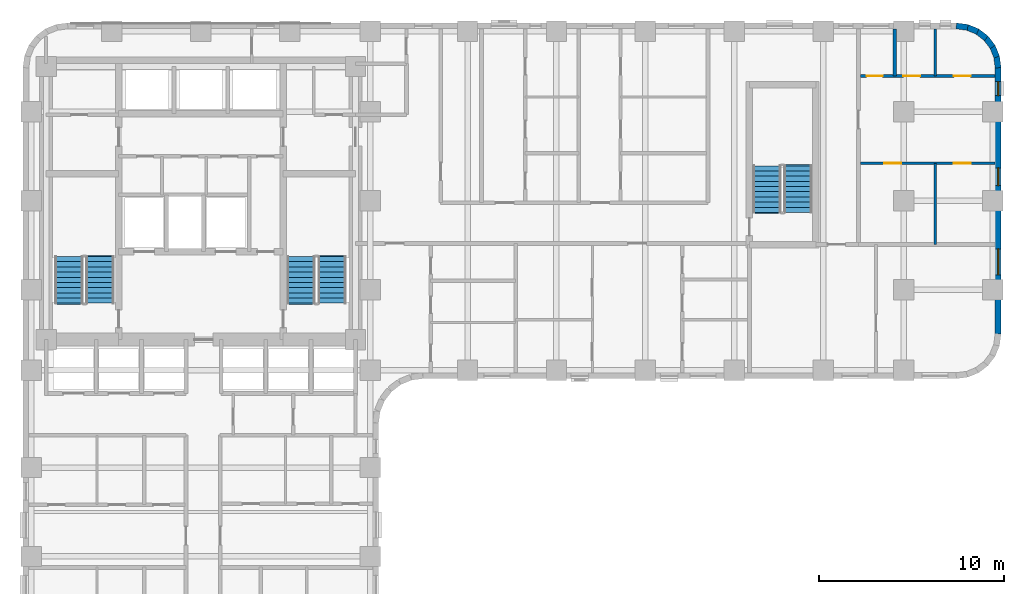
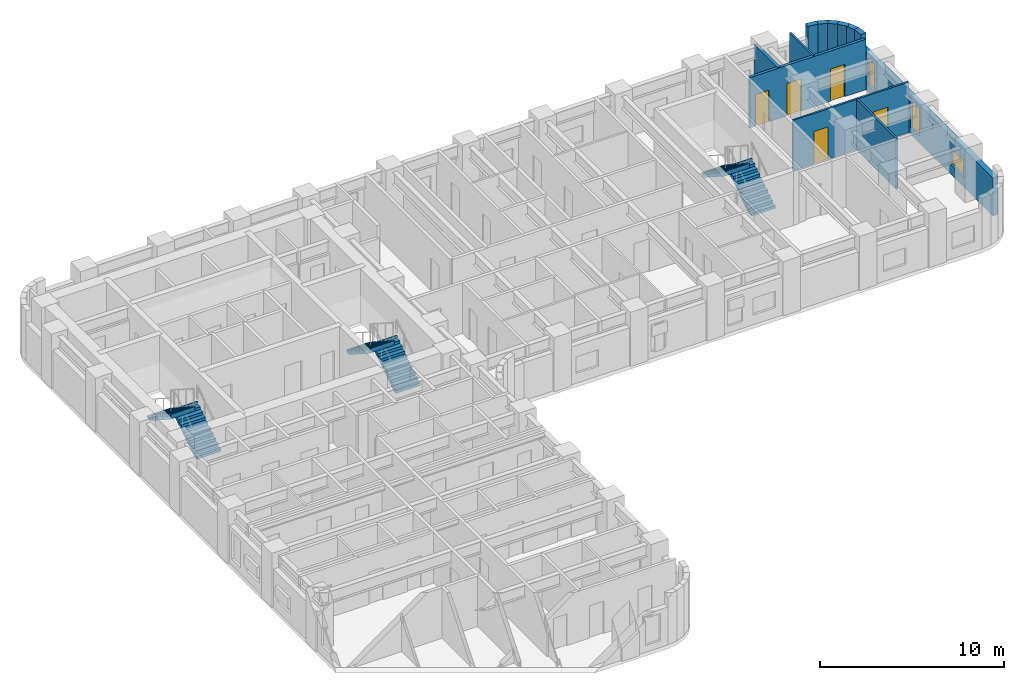
# One storey, part 8 of 11: 12 walls, 6 stair flights, 5 doors, 3 windows, 8 openings, 3 elements without a shape of their own.
"""IFC4 building model written with IfcOpenShell, lengths in metres."""

from ifc_helpers import new_model, si_unit, direction, frame, frame_2d, origin, place, context, subcontext, project, spatial, polyline, rectangle, outline, extrude, material, layer, layer_set, type_object, element, fill, aggregate, save


model = new_model("IFC4")

# Units and contexts
model_context = context("Model", 3, precision=1e-05, world=origin(), true_north=direction((0.0, 1.0)))
body_context = subcontext(model_context, "Body", "Model", "MODEL_VIEW")
ifc_project = project(units=[si_unit("LENGTHUNIT", "METRE"), si_unit("AREAUNIT", "SQUARE_METRE"), si_unit("VOLUMEUNIT", "CUBIC_METRE"), si_unit("PLANEANGLEUNIT", "RADIAN"), si_unit("MASSUNIT", "GRAM", prefix="KILO")], contexts=[model_context])

# Site, building, storey
site_placement = place(None, origin())
site = spatial("IfcSite", under=ifc_project, at=site_placement, CompositionType="ELEMENT")
building_placement = place(site_placement, origin())
building = spatial("IfcBuilding", under=site, at=building_placement, Name="Orvandelia Arch Residences", CompositionType="ELEMENT")
storey_placement = place(building_placement, frame((0.0, 0.0, 25.0)))
storey = spatial("IfcBuildingStorey", under=building, at=storey_placement, Name="L05", CompositionType="ELEMENT", Elevation=25.0)

# Walls
ifc_material_1 = material(Name="Precast concrete C40/50", Category="concrete")
ifc_layer_1 = layer(ifc_material_1, 0.320068359375, Name="Precast concrete C40/50", Category="concrete")
ifc_layer_set_1 = layer_set([ifc_layer_1], Name="Precast concrete C40/50")
wall_type_1 = type_object("IfcWallType", Name="WL-EXT-STONE-320", PredefinedType="STANDARD", material=ifc_layer_set_1)
for number, where, z_axis, x_axis, name in (
    (1, (55.17919921875, 47.84130859375, 0.0), (0.0, 0.0, 1.0), (0.9914410257, -0.130555323746, 0.0), "Coral-Limestone Precast Facade Wall L05-008"),
    (2, (55.760009765625, 47.7705078125, 0.0), (0.0, 0.0, 1.0), (0.92389335771, -0.382650053678, 0.0), "Coral-Limestone Precast Facade Wall L05-009"),
):
    element("IfcWall", number, at=place(storey_placement, frame(where, z_axis=z_axis, x_axis=x_axis)), inside=storey, type_object=wall_type_1, Name=name, PredefinedType="STANDARD", context=body_context, shape_type="SweptSolid", body=[
        extrude(rectangle(XDim=0.62646484375, YDim=0.320068359375, at=frame_2d((0.313232421875, 0.0))), origin(), (0.0, 0.0, 1.0), 3.35009765625),
    ])
wall_1_placement = place(storey_placement, frame((56.302490234375, 47.551513671875, 0.0), z_axis=(0.0, 0.0, 1.0), x_axis=(0.793549926411, -0.608505147302, 0.0)))
element("IfcWall", 3, at=wall_1_placement, inside=storey, type_object=wall_type_1, Name="Coral-Limestone Precast Facade Wall L05-010", PredefinedType="STANDARD", context=body_context, shape_type="SweptSolid", body=[
    extrude(rectangle(XDim=0.626708984375, YDim=0.320068359375, at=frame_2d((0.3134765625, 0.0))), origin(), (0.0, 0.0, 1.0), 3.35009765625),
])
for number, where, z_axis, x_axis, name in (
    (4, (56.770263671875, 47.19970703125, 0.0), (0.0, 0.0, 1.0), (0.608693302629, -0.793405610854, 0.0), "Coral-Limestone Precast Facade Wall L05-011"),
    (5, (57.130615234375, 46.73876953125, 0.0), (0.0, 0.0, 1.0), (0.382650053678, -0.92389335771, 0.0), "Coral-Limestone Precast Facade Wall L05-012"),
    (6, (57.359619140625, 46.2001953125, 0.0), (0.0, 0.0, 1.0), (0.130555323746, -0.9914410257, 0.0), "Coral-Limestone Precast Facade Wall L05-013"),
):
    element("IfcWall", number, at=place(storey_placement, frame(where, z_axis=z_axis, x_axis=x_axis)), inside=storey, type_object=wall_type_1, Name=name, PredefinedType="STANDARD", context=body_context, shape_type="SweptSolid", body=[
        extrude(rectangle(XDim=0.62646484375, YDim=0.320068359375, at=frame_2d((0.313232421875, 0.0))), origin(), (0.0, 0.0, 1.0), 3.35009765625),
    ])

# Wall, openings, windows
wall_2_placement = place(storey_placement, frame((57.43994140625, 45.60009765625, 0.0), z_axis=(0.0, 0.0, 1.0), x_axis=(0.0, -1.0, 0.0)))
wall_2 = element("IfcWall", 7, at=wall_2_placement, inside=storey, type_object=wall_type_1, Name="Coral-Limestone Precast Facade Wall L05-014", PredefinedType="STANDARD", context=body_context, shape_type="SweptSolid", body=[
    extrude(rectangle(XDim=14.400146484375, YDim=0.320068359375, at=frame_2d((7.2001953125, 0.0))), origin(), (0.0, 0.0, 1.0), 2.530029296875),
])
opening_1_placement = place(wall_2_placement, frame((5.427978515625, 0.0, 0.449951171875)))
opening_1 = element("IfcOpeningElement", 8, at=opening_1_placement, cuts=wall_2, Name="Opening W4", PredefinedType="OPENING", context=body_context, shape_type="SweptSolid", body=[
    extrude(rectangle(XDim=0.949951171875, YDim=1.800048828125, at=frame_2d((0.47509765625, 0.89990234375))), frame((0.0, 0.169921875, 0.0), z_axis=(0.0, -1.0, 0.0), x_axis=(1.0, 0.0, 0.0)), (0.0, 0.0, 1.0), 0.340087890625),
])
opening_2_placement = place(wall_2_placement, frame((9.800048828125, 0.0, 0.64990234375)))
opening_2 = element("IfcOpeningElement", 9, at=opening_2_placement, cuts=wall_2, Name="Opening W10", PredefinedType="OPENING", context=body_context, shape_type="SweptSolid", body=[
    extrude(rectangle(XDim=1.39990234375, YDim=1.10009765625, at=frame_2d((0.699951171875, 0.550048828125))), frame((0.0, 0.169921875, 0.0), z_axis=(0.0, -1.0, 0.0), x_axis=(1.0, 0.0, 0.0)), (0.0, 0.0, 1.0), 0.340087890625),
])
opening_3_placement = place(wall_2_placement, frame((0.7705078125, 0.0, 0.449951171875)))
opening_3 = element("IfcOpeningElement", 10, at=opening_3_placement, cuts=wall_2, Name="Opening W11", PredefinedType="OPENING", context=body_context, shape_type="SweptSolid", body=[
    extrude(rectangle(XDim=0.75, YDim=1.800048828125, at=frame_2d((0.375, 0.89990234375))), frame((0.0, 0.169921875, 0.0), z_axis=(0.0, -1.0, 0.0), x_axis=(1.0, 0.0, 0.0)), (0.0, 0.0, 1.0), 0.340087890625),
])
ifc_material_2 = material(Name="Tempered Low-E Insulated Glazing", Category="glass")
window_type_1 = type_object("IfcWindowType", Name="WIN-BED-0750x1800", PartitioningType="SINGLE_PANEL", PredefinedType="WINDOW", material=ifc_material_2)
window_1_placement = place(opening_3_placement, origin())
window_1 = element("IfcWindow", 11, at=window_1_placement, inside=storey, type_object=window_type_1, Name="Recessed Punched Window L05-015", OverallHeight=1.800048828125, OverallWidth=0.75, PartitioningType="SINGLE_PANEL", PredefinedType="WINDOW", context=body_context, shape_type="SweptSolid", body=[
    extrude(rectangle(XDim=0.75, YDim=1.800048828125, at=frame_2d((0.375, 0.89990234375))), frame((0.0, 0.030029296875, 0.0), z_axis=(0.0, -1.0, 0.0), x_axis=(1.0, 0.0, 0.0)), (0.0, 0.0, 1.0), 0.06005859375),
])
fill(opening_3, window_1)
window_type_2 = type_object("IfcWindowType", Name="WIN-CLR-1400x1100", PartitioningType="SINGLE_PANEL", PredefinedType="WINDOW", material=ifc_material_2)
window_2_placement = place(opening_2_placement, origin())
window_2 = element("IfcWindow", 12, at=window_2_placement, inside=storey, type_object=window_type_2, Name="Recessed Punched Window L05-014", OverallHeight=1.10009765625, OverallWidth=1.39990234375, PartitioningType="SINGLE_PANEL", PredefinedType="WINDOW", context=body_context, shape_type="SweptSolid", body=[
    extrude(rectangle(XDim=1.39990234375, YDim=1.10009765625, at=frame_2d((0.699951171875, 0.550048828125))), frame((0.0, 0.030029296875, 0.0), z_axis=(0.0, -1.0, 0.0), x_axis=(1.0, 0.0, 0.0)), (0.0, 0.0, 1.0), 0.06005859375),
])
fill(opening_2, window_2)
window_type_3 = type_object("IfcWindowType", Name="WIN-RES-0950x1800", PartitioningType="SINGLE_PANEL", PredefinedType="WINDOW", material=ifc_material_2)
window_3_placement = place(opening_1_placement, origin())
window_3 = element("IfcWindow", 13, at=window_3_placement, inside=storey, type_object=window_type_3, Name="Recessed Punched Window L05-013", OverallHeight=1.800048828125, OverallWidth=0.949951171875, PartitioningType="SINGLE_PANEL", PredefinedType="WINDOW", context=body_context, shape_type="SweptSolid", body=[
    extrude(rectangle(XDim=0.949951171875, YDim=1.800048828125, at=frame_2d((0.47509765625, 0.89990234375))), frame((0.0, 0.030029296875, 0.0), z_axis=(0.0, -1.0, 0.0), x_axis=(1.0, 0.0, 0.0)), (0.0, 0.0, 1.0), 0.06005859375),
])
fill(opening_1, window_3)

# Wall, openings, doors
ifc_material_3 = material(Name="Lightweight Gypsum Stud Partition")
ifc_layer_2 = layer(ifc_material_3, 0.1201171875, Name="Lightweight Gypsum Stud Partition")
ifc_layer_set_2 = layer_set([ifc_layer_2], Name="Lightweight Gypsum Stud Partition")
wall_type_2 = type_object("IfcWallType", Name="WL-PART-120", PredefinedType="PARTITIONING", material=ifc_layer_set_2)
wall_3_placement = place(storey_placement, frame((50.0, 40.424072265625, 0.0), z_axis=(0.0, 0.0, 1.0), x_axis=(1.0, 0.0, 0.0)))
wall_3 = element("IfcWall", 14, at=wall_3_placement, inside=storey, type_object=wall_type_2, Name="Interior Partition Wall WL-L05-U11-HB", PredefinedType="PARTITIONING", context=body_context, shape_type="SweptSolid", body=[
    extrude(rectangle(XDim=7.280029296875, YDim=0.1201171875, at=frame_2d((3.64013671875, 0.0))), origin(), (0.0, 0.0, 1.0), 3.35009765625),
])
opening_4_placement = place(wall_3_placement, frame((1.30419921875, 0.0, 0.0)))
opening_4 = element("IfcOpeningElement", 15, at=opening_4_placement, cuts=wall_3, Name="Opening D3", PredefinedType="OPENING", context=body_context, shape_type="SweptSolid", body=[
    extrude(rectangle(XDim=0.89990234375, YDim=2.14990234375, at=frame_2d((0.449951171875, 1.074951171875))), frame((0.0, 0.070068359375, 0.0), z_axis=(0.0, -1.0, 0.0), x_axis=(1.0, 0.0, 0.0)), (0.0, 0.0, 1.0), 0.14013671875),
])
opening_5_placement = place(wall_3_placement, frame((5.056884765625, 0.0, 0.0)))
opening_5 = element("IfcOpeningElement", 16, at=opening_5_placement, cuts=wall_3, Name="Opening D3", PredefinedType="OPENING", context=body_context, shape_type="SweptSolid", body=[
    extrude(rectangle(XDim=0.89990234375, YDim=2.14990234375, at=frame_2d((0.449951171875, 1.074951171875))), frame((0.0, 0.070068359375, 0.0), z_axis=(0.0, -1.0, 0.0), x_axis=(1.0, 0.0, 0.0)), (0.0, 0.0, 1.0), 0.14013671875),
])
ifc_material_4 = material(Name="Engineered Timber Flush Door", Category="wood")
door_type_1 = type_object("IfcDoorType", Name="DR-INT-900", OperationType="NOTDEFINED", PredefinedType="DOOR", material=ifc_material_4)
door_1_placement = place(opening_4_placement, origin())
door_1 = element("IfcDoor", 17, at=door_1_placement, inside=storey, type_object=door_type_1, Name="DR-L05-U11-STDY", OperationType="SINGLE_SWING_LEFT", OverallHeight=2.14990234375, OverallWidth=0.89990234375, PredefinedType="DOOR", context=body_context, shape_type="SweptSolid", body=[
    extrude(rectangle(XDim=0.89990234375, YDim=2.14990234375, at=frame_2d((0.449951171875, 1.074951171875))), frame((0.0, 0.02490234375, 0.0), z_axis=(0.0, -1.0, 0.0), x_axis=(1.0, 0.0, 0.0)), (0.0, 0.0, 1.0), 0.050048828125),
])
fill(opening_4, door_1)
door_2_placement = place(opening_5_placement, origin())
door_2 = element("IfcDoor", 18, at=door_2_placement, inside=storey, type_object=door_type_1, Name="DR-L05-U11-BD2", OperationType="SINGLE_SWING_RIGHT", OverallHeight=2.14990234375, OverallWidth=0.89990234375, PredefinedType="DOOR", context=body_context, shape_type="SweptSolid", body=[
    extrude(rectangle(XDim=0.89990234375, YDim=2.14990234375, at=frame_2d((0.449951171875, 1.074951171875))), frame((0.0, 0.02490234375, 0.0), z_axis=(0.0, -1.0, 0.0), x_axis=(1.0, 0.0, 0.0)), (0.0, 0.0, 1.0), 0.050048828125),
])
fill(opening_5, door_2)

# Walls
wall_4_placement = place(storey_placement, frame((54.048095703125, 36.0400390625, 0.0), z_axis=(0.0, 0.0, 1.0), x_axis=(0.0, 1.0, 0.0)))
element("IfcWall", 19, at=wall_4_placement, inside=storey, type_object=wall_type_2, Name="Interior Partition Wall WL-L05-U11-VB", PredefinedType="PARTITIONING", context=body_context, shape_type="SweptSolid", body=[
    extrude(rectangle(XDim=4.384033203125, YDim=0.1201171875, at=frame_2d((2.19189453125, 0.0))), origin(), (0.0, 0.0, 1.0), 3.35009765625),
])
wall_5_placement = place(storey_placement, frame((54.048095703125, 45.138916015625, 0.0), z_axis=(0.0, 0.0, 1.0), x_axis=(0.0, 1.0, 0.0)))
element("IfcWall", 20, at=wall_5_placement, inside=storey, type_object=wall_type_2, Name="Interior Partition Wall WL-L05-U11-V2", PredefinedType="PARTITIONING", context=body_context, shape_type="SweptSolid", body=[
    extrude(rectangle(XDim=2.541015625, YDim=0.1201171875, at=frame_2d((1.2705078125, 0.0))), origin(), (0.0, 0.0, 1.0), 3.35009765625),
])

# Wall, openings, doors
ifc_material_5 = material(Name="Moisture-Resistant Plumbing Wall")
ifc_layer_3 = layer(ifc_material_5, 0.179931640625, Name="Moisture-Resistant Plumbing Wall")
ifc_layer_set_3 = layer_set([ifc_layer_3], Name="Moisture-Resistant Plumbing Wall")
wall_type_3 = type_object("IfcWallType", Name="WL-WET-180", PredefinedType="PLUMBINGWALL", material=ifc_layer_set_3)
wall_6_placement = place(storey_placement, frame((50.0, 45.138916015625, 0.0), z_axis=(0.0, 0.0, 1.0), x_axis=(1.0, 0.0, 0.0)))
wall_6 = element("IfcWall", 21, at=wall_6_placement, inside=storey, type_object=wall_type_3, Name="Interior Partition Wall WL-L05-U11-HZ", PredefinedType="PLUMBINGWALL", context=body_context, shape_type="SweptSolid", body=[
    extrude(rectangle(XDim=7.280029296875, YDim=0.179931640625, at=frame_2d((3.64013671875, 0.0))), origin(), (0.0, 0.0, 1.0), 3.35009765625),
])
opening_6_placement = place(wall_6_placement, frame((0.343017578125, 0.0, 0.0)))
opening_6 = element("IfcOpeningElement", 22, at=opening_6_placement, cuts=wall_6, Name="Opening D4", PredefinedType="OPENING", context=body_context, shape_type="SweptSolid", body=[
    extrude(rectangle(XDim=0.860107421875, YDim=2.10009765625, at=frame_2d((0.43017578125, 1.050048828125))), frame((0.0, 0.10009765625, 0.0), z_axis=(0.0, -1.0, 0.0), x_axis=(1.0, 0.0, 0.0)), (0.0, 0.0, 1.0), 0.199951171875),
])
opening_7_placement = place(wall_6_placement, frame((2.328125, 0.0, 0.0)))
opening_7 = element("IfcOpeningElement", 23, at=opening_7_placement, cuts=wall_6, Name="Opening D3", PredefinedType="OPENING", context=body_context, shape_type="SweptSolid", body=[
    extrude(rectangle(XDim=0.89990234375, YDim=2.14990234375, at=frame_2d((0.449951171875, 1.074951171875))), frame((0.0, 0.10009765625, 0.0), z_axis=(0.0, -1.0, 0.0), x_axis=(1.0, 0.0, 0.0)), (0.0, 0.0, 1.0), 0.199951171875),
])
opening_8_placement = place(wall_6_placement, frame((5.056884765625, 0.0, 0.0)))
opening_8 = element("IfcOpeningElement", 24, at=opening_8_placement, cuts=wall_6, Name="Opening D3", PredefinedType="OPENING", context=body_context, shape_type="SweptSolid", body=[
    extrude(rectangle(XDim=0.89990234375, YDim=2.14990234375, at=frame_2d((0.449951171875, 1.074951171875))), frame((0.0, 0.10009765625, 0.0), z_axis=(0.0, -1.0, 0.0), x_axis=(1.0, 0.0, 0.0)), (0.0, 0.0, 1.0), 0.199951171875),
])
door_3_placement = place(opening_7_placement, origin())
door_3 = element("IfcDoor", 25, at=door_3_placement, inside=storey, type_object=door_type_1, Name="DR-L05-U11-KIT", OperationType="SINGLE_SWING_LEFT", OverallHeight=2.14990234375, OverallWidth=0.89990234375, PredefinedType="DOOR", context=body_context, shape_type="SweptSolid", body=[
    extrude(rectangle(XDim=0.89990234375, YDim=2.14990234375, at=frame_2d((0.449951171875, 1.074951171875))), frame((0.0, 0.02490234375, 0.0), z_axis=(0.0, -1.0, 0.0), x_axis=(1.0, 0.0, 0.0)), (0.0, 0.0, 1.0), 0.050048828125),
])
fill(opening_7, door_3)
door_4_placement = place(opening_8_placement, origin())
door_4 = element("IfcDoor", 26, at=door_4_placement, inside=storey, type_object=door_type_1, Name="DR-L05-U11-BD1", OperationType="SINGLE_SWING_RIGHT", OverallHeight=2.14990234375, OverallWidth=0.89990234375, PredefinedType="DOOR", context=body_context, shape_type="SweptSolid", body=[
    extrude(rectangle(XDim=0.89990234375, YDim=2.14990234375, at=frame_2d((0.449951171875, 1.074951171875))), frame((0.0, 0.02490234375, 0.0), z_axis=(0.0, -1.0, 0.0), x_axis=(1.0, 0.0, 0.0)), (0.0, 0.0, 1.0), 0.050048828125),
])
fill(opening_8, door_4)
ifc_material_6 = material(Name="Moisture-Sealed Timber Bathroom Door", Category="wood")
door_type_2 = type_object("IfcDoorType", Name="DR-WET-900", OperationType="NOTDEFINED", PredefinedType="DOOR", material=ifc_material_6)
door_5_placement = place(opening_6_placement, origin())
door_5 = element("IfcDoor", 27, at=door_5_placement, inside=storey, type_object=door_type_2, Name="DR-L05-U11-BTH", OperationType="SINGLE_SWING_RIGHT", OverallHeight=2.10009765625, OverallWidth=0.860107421875, PredefinedType="DOOR", context=body_context, shape_type="SweptSolid", body=[
    extrude(rectangle(XDim=0.860107421875, YDim=2.10009765625, at=frame_2d((0.43017578125, 1.050048828125))), frame((0.0, 0.02490234375, 0.0), z_axis=(0.0, -1.0, 0.0), x_axis=(1.0, 0.0, 0.0)), (0.0, 0.0, 1.0), 0.050048828125),
])
fill(opening_6, door_5)

# Wall
wall_7_placement = place(storey_placement, frame((51.862060546875, 45.138916015625, 0.0), z_axis=(0.0, 0.0, 1.0), x_axis=(0.0, 1.0, 0.0)))
element("IfcWall", 28, at=wall_7_placement, inside=storey, type_object=wall_type_3, Name="Interior Partition Wall WL-L05-U11-V1", PredefinedType="PLUMBINGWALL", context=body_context, shape_type="SweptSolid", body=[
    extrude(rectangle(XDim=2.541015625, YDim=0.179931640625, at=frame_2d((1.2705078125, 0.0))), origin(), (0.0, 0.0, 1.0), 3.35009765625),
])

# Stair, stair flights
ifc_material_7 = material(Name="Concrete C40/50", Category="concrete")
stair_type = type_object("IfcStairType", Name="STAIR-RC-DOGLEG", PredefinedType="HALF_TURN_STAIR", material=ifc_material_7)
stair_1_placement = place(storey_placement, origin())
stair_1 = element("IfcStair", 29, at=stair_1_placement, inside=storey, type_object=stair_type, Name="L05 Protected Exit Stair ST-1", PredefinedType="HALF_TURN_STAIR")
stair_flight_type = type_object("IfcStairFlightType", Name="STFLT-RC-1520", PredefinedType="STRAIGHT", material=ifc_material_7)
stair_flight_1_placement = place(storey_placement, frame((8.9599609375, 32.8701171875, 0.0), z_axis=(0.0, 0.0, 1.0), x_axis=(0.0, 1.0, 0.0)))
stair_flight_1 = element("IfcStairFlight", 30, at=stair_flight_1_placement, type_object=stair_flight_type, Name="ST-1 flight 1", NumberOfRisers=10, NumberOfTreads=9, PredefinedType="STRAIGHT", RiserHeight=0.18, TreadLength=0.28, context=body_context, shape_type="SweptSolid", body=[
    extrude(outline(polyline([(0.0, 0.0), (0.0, 0.179931640625), (0.280029296875, 0.179931640625), (0.280029296875, 0.360107421875), (0.56005859375, 0.360107421875), (0.56005859375, 0.5400390625), (0.840087890625, 0.5400390625), (0.840087890625, 0.719970703125), (1.1201171875, 0.719970703125), (1.1201171875, 0.89990234375), (1.39990234375, 0.89990234375), (1.39990234375, 1.080078125), (1.679931640625, 1.080078125), (1.679931640625, 1.260009765625), (1.9599609375, 1.260009765625), (1.9599609375, 1.43994140625), (2.239990234375, 1.43994140625), (2.239990234375, 1.6201171875), (2.52001953125, 1.6201171875), (2.52001953125, 1.800048828125), (2.580078125, 1.800048828125), (2.580078125, 1.6201171875), (2.52001953125, 1.44189453125), (0.277099609375, 0.0), (0.0, 0.0)])), frame((0.0, 0.760009765625, 0.0), z_axis=(0.0, -1.0, 0.0), x_axis=(1.0, 0.0, 0.0)), (0.0, 0.0, 1.0), 1.52001953125),
])
stair_flight_2_placement = place(storey_placement, frame((7.2900390625, 35.389892578125, 1.800048828125), z_axis=(0.0, 0.0, 1.0), x_axis=(0.0, -1.0, 0.0)))
stair_flight_2 = element("IfcStairFlight", 31, at=stair_flight_2_placement, type_object=stair_flight_type, Name="ST-1 flight 2", NumberOfRisers=10, NumberOfTreads=9, PredefinedType="STRAIGHT", RiserHeight=0.18, TreadLength=0.28, context=body_context, shape_type="SweptSolid", body=[
    extrude(outline(polyline([(0.0, 0.0), (0.0, 0.179931640625), (0.280029296875, 0.179931640625), (0.280029296875, 0.360107421875), (0.56005859375, 0.360107421875), (0.56005859375, 0.5400390625), (0.840087890625, 0.5400390625), (0.840087890625, 0.719970703125), (1.1201171875, 0.719970703125), (1.1201171875, 0.89990234375), (1.39990234375, 0.89990234375), (1.39990234375, 1.080078125), (1.679931640625, 1.080078125), (1.679931640625, 1.260009765625), (1.9599609375, 1.260009765625), (1.9599609375, 1.43994140625), (2.239990234375, 1.43994140625), (2.239990234375, 1.6201171875), (2.52001953125, 1.6201171875), (2.52001953125, 1.800048828125), (2.580078125, 1.800048828125), (2.580078125, 1.6201171875), (2.52001953125, 1.44189453125), (0.277099609375, 0.0), (0.0, 0.0)])), frame((0.0, 0.760009765625, 0.0), z_axis=(0.0, -1.0, 0.0), x_axis=(1.0, 0.0, 0.0)), (0.0, 0.0, 1.0), 1.52001953125),
])
aggregate(stair_1, [stair_flight_1, stair_flight_2])

stair_2_placement = place(storey_placement, origin())
stair_2 = element("IfcStair", 32, at=stair_2_placement, inside=storey, type_object=stair_type, Name="L05 Protected Exit Stair ST-2", PredefinedType="HALF_TURN_STAIR")
stair_flight_3_placement = place(storey_placement, frame((21.489990234375, 32.8701171875, 0.0), z_axis=(0.0, 0.0, 1.0), x_axis=(0.0, 1.0, 0.0)))
stair_flight_3 = element("IfcStairFlight", 33, at=stair_flight_3_placement, type_object=stair_flight_type, Name="ST-2 flight 1", NumberOfRisers=10, NumberOfTreads=9, PredefinedType="STRAIGHT", RiserHeight=0.18, TreadLength=0.28, context=body_context, shape_type="SweptSolid", body=[
    extrude(outline(polyline([(0.0, 0.0), (0.0, 0.179931640625), (0.280029296875, 0.179931640625), (0.280029296875, 0.360107421875), (0.56005859375, 0.360107421875), (0.56005859375, 0.5400390625), (0.840087890625, 0.5400390625), (0.840087890625, 0.719970703125), (1.1201171875, 0.719970703125), (1.1201171875, 0.89990234375), (1.39990234375, 0.89990234375), (1.39990234375, 1.080078125), (1.679931640625, 1.080078125), (1.679931640625, 1.260009765625), (1.9599609375, 1.260009765625), (1.9599609375, 1.43994140625), (2.239990234375, 1.43994140625), (2.239990234375, 1.6201171875), (2.52001953125, 1.6201171875), (2.52001953125, 1.800048828125), (2.580078125, 1.800048828125), (2.580078125, 1.6201171875), (2.52001953125, 1.44189453125), (0.277099609375, 0.0), (0.0, 0.0)])), frame((0.0, 0.760009765625, 0.0), z_axis=(0.0, -1.0, 0.0), x_axis=(1.0, 0.0, 0.0)), (0.0, 0.0, 1.0), 1.52001953125),
])
stair_flight_4_placement = place(storey_placement, frame((19.820068359375, 35.389892578125, 1.800048828125), z_axis=(0.0, 0.0, 1.0), x_axis=(0.0, -1.0, 0.0)))
stair_flight_4 = element("IfcStairFlight", 34, at=stair_flight_4_placement, type_object=stair_flight_type, Name="ST-2 flight 2", NumberOfRisers=10, NumberOfTreads=9, PredefinedType="STRAIGHT", RiserHeight=0.18, TreadLength=0.28, context=body_context, shape_type="SweptSolid", body=[
    extrude(outline(polyline([(0.0, 0.0), (0.0, 0.179931640625), (0.280029296875, 0.179931640625), (0.280029296875, 0.360107421875), (0.56005859375, 0.360107421875), (0.56005859375, 0.5400390625), (0.840087890625, 0.5400390625), (0.840087890625, 0.719970703125), (1.1201171875, 0.719970703125), (1.1201171875, 0.89990234375), (1.39990234375, 0.89990234375), (1.39990234375, 1.080078125), (1.679931640625, 1.080078125), (1.679931640625, 1.260009765625), (1.9599609375, 1.260009765625), (1.9599609375, 1.43994140625), (2.239990234375, 1.43994140625), (2.239990234375, 1.6201171875), (2.52001953125, 1.6201171875), (2.52001953125, 1.800048828125), (2.580078125, 1.800048828125), (2.580078125, 1.6201171875), (2.52001953125, 1.44189453125), (0.277099609375, 0.0), (0.0, 0.0)])), frame((0.0, 0.760009765625, 0.0), z_axis=(0.0, -1.0, 0.0), x_axis=(1.0, 0.0, 0.0)), (0.0, 0.0, 1.0), 1.52001953125),
])
aggregate(stair_2, [stair_flight_3, stair_flight_4])

stair_3_placement = place(storey_placement, origin())
stair_3 = element("IfcStair", 35, at=stair_3_placement, inside=storey, type_object=stair_type, Name="L05 East Wing Exit Stair ST-3", PredefinedType="HALF_TURN_STAIR")
stair_flight_5_placement = place(storey_placement, frame((46.639892578125, 37.77001953125, 0.0), z_axis=(0.0, 0.0, 1.0), x_axis=(0.0, 1.0, 0.0)))
stair_flight_5 = element("IfcStairFlight", 36, at=stair_flight_5_placement, type_object=stair_flight_type, Name="ST-3 flight 1", NumberOfRisers=10, NumberOfTreads=9, PredefinedType="STRAIGHT", RiserHeight=0.18, TreadLength=0.28, context=body_context, shape_type="SweptSolid", body=[
    extrude(outline(polyline([(0.0, 0.0), (0.0, 0.179931640625), (0.280029296875, 0.179931640625), (0.280029296875, 0.360107421875), (0.56005859375, 0.360107421875), (0.56005859375, 0.5400390625), (0.840087890625, 0.5400390625), (0.840087890625, 0.719970703125), (1.1201171875, 0.719970703125), (1.1201171875, 0.89990234375), (1.39990234375, 0.89990234375), (1.39990234375, 1.080078125), (1.679931640625, 1.080078125), (1.679931640625, 1.260009765625), (1.9599609375, 1.260009765625), (1.9599609375, 1.43994140625), (2.239990234375, 1.43994140625), (2.239990234375, 1.6201171875), (2.52001953125, 1.6201171875), (2.52001953125, 1.800048828125), (2.580078125, 1.800048828125), (2.580078125, 1.6201171875), (2.52001953125, 1.44189453125), (0.277099609375, 0.0), (0.0, 0.0)])), frame((0.0, 0.760009765625, 0.0), z_axis=(0.0, -1.0, 0.0), x_axis=(1.0, 0.0, 0.0)), (0.0, 0.0, 1.0), 1.52001953125),
])
stair_flight_6_placement = place(storey_placement, frame((44.969970703125, 40.2900390625, 1.800048828125), z_axis=(0.0, 0.0, 1.0), x_axis=(0.0, -1.0, 0.0)))
stair_flight_6 = element("IfcStairFlight", 37, at=stair_flight_6_placement, type_object=stair_flight_type, Name="ST-3 flight 2", NumberOfRisers=10, NumberOfTreads=9, PredefinedType="STRAIGHT", RiserHeight=0.18, TreadLength=0.28, context=body_context, shape_type="SweptSolid", body=[
    extrude(outline(polyline([(0.0, 0.0), (0.0, 0.179931640625), (0.280029296875, 0.179931640625), (0.280029296875, 0.360107421875), (0.56005859375, 0.360107421875), (0.56005859375, 0.5400390625), (0.840087890625, 0.5400390625), (0.840087890625, 0.719970703125), (1.1201171875, 0.719970703125), (1.1201171875, 0.89990234375), (1.39990234375, 0.89990234375), (1.39990234375, 1.080078125), (1.679931640625, 1.080078125), (1.679931640625, 1.260009765625), (1.9599609375, 1.260009765625), (1.9599609375, 1.43994140625), (2.239990234375, 1.43994140625), (2.239990234375, 1.6201171875), (2.52001953125, 1.6201171875), (2.52001953125, 1.800048828125), (2.580078125, 1.800048828125), (2.580078125, 1.6201171875), (2.52001953125, 1.44189453125), (0.277099609375, 0.0), (0.0, 0.0)])), frame((0.0, 0.760009765625, 0.0), z_axis=(0.0, -1.0, 0.0), x_axis=(1.0, 0.0, 0.0)), (0.0, 0.0, 1.0), 1.52001953125),
])
aggregate(stair_3, [stair_flight_5, stair_flight_6])

save(model, "model.ifc")
